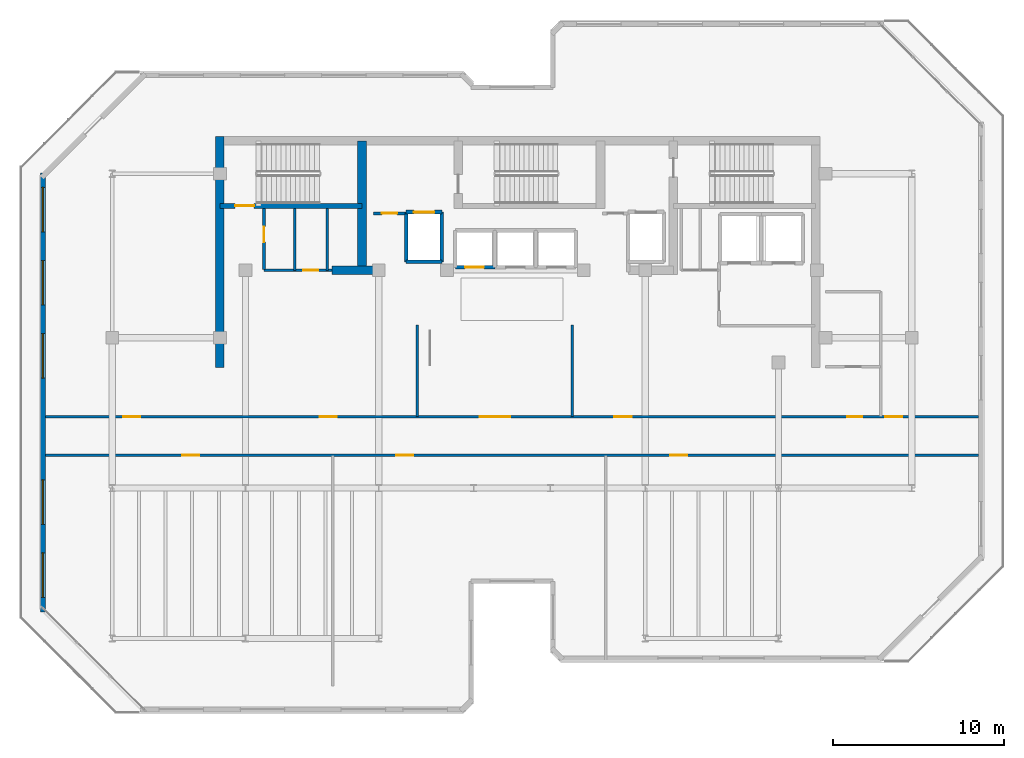
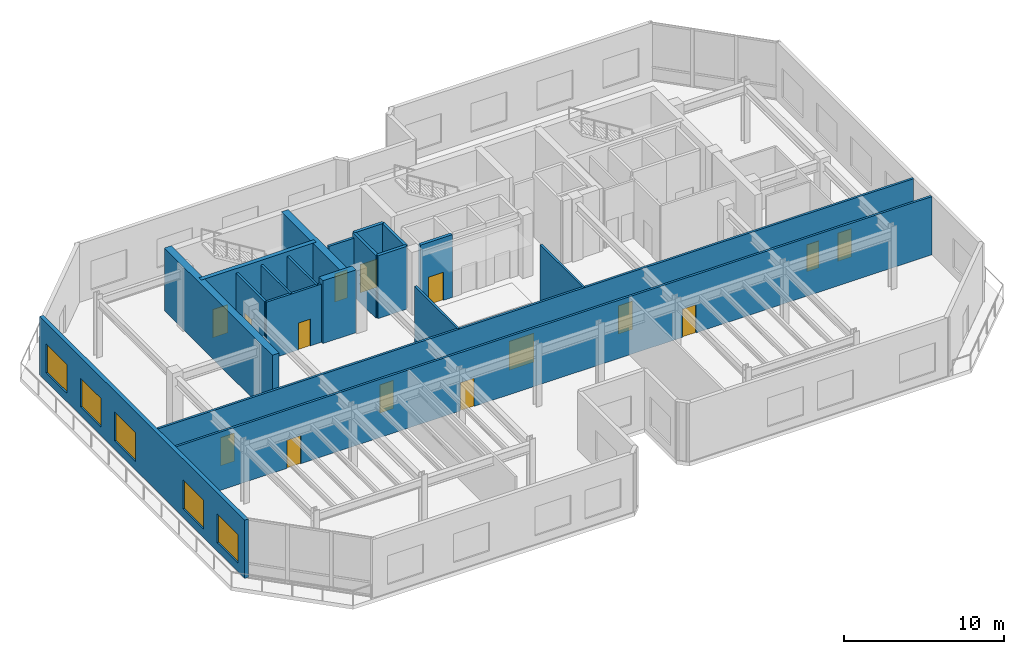
# One storey, part 6 of 12: 19 walls, 15 doors, 5 windows, 20 openings.
"""IFC4 building model written with IfcOpenShell, lengths in metres."""

import ifcopenshell
import ifcopenshell.guid

model = None  # the IFC model being written
_history = None  # IfcOwnerHistory: only IFC2X3 demands one
_inside = {}  # id of a spatial element -> (the spatial element, [elements in it])
_under = {}  # id of a project, library or spatial element -> (it, [spatial elements below it])
_declared = {}  # id of a project -> (the project, [libraries it declares])
_typed = {}  # id of a type object -> (the type object, [elements of that type])
_made_of = {}  # id of a material, layer set ... -> (it, [elements and type objects made of it])


def new_model(schema):
    """Start an empty IFC model of exactly this schema.

    Asked for "IFC4X3", IfcOpenShell would pick the latest addendum, in which some entities
    have other attributes; the version numbers below select the first issue.
    IFC2X3 requires an IfcOwnerHistory on every rooted entity: one is made here for all.
    """
    global model, _history
    if schema == "IFC4X3":
        model = ifcopenshell.file(schema_version=(4, 3, 0, 0))
    else:
        model = ifcopenshell.file(schema=schema)
    _inside.clear()
    _under.clear()
    _declared.clear()
    _typed.clear()
    _made_of.clear()
    _history = None
    if model.schema == "IFC2X3":
        org = make("IfcOrganization", Name="unknown")
        user = make(
            "IfcPersonAndOrganization",
            ThePerson=make("IfcPerson", FamilyName="unknown"),
            TheOrganization=org,
        )
        app = make(
            "IfcApplication",
            ApplicationDeveloper=org,
            Version="unknown",
            ApplicationFullName="unknown",
            ApplicationIdentifier="unknown",
        )
        _history = make(
            "IfcOwnerHistory",
            OwningUser=user,
            OwningApplication=app,
            ChangeAction="ADDED",
            CreationDate=0,
        )
    return model


def make(cls, **values):
    """One entity of the class cls with the attributes given. An attribute that is None is left unset."""
    return model.create_entity(
        cls, **{name: value for name, value in values.items() if value is not None}
    )


def rooted(cls, **values):
    """An entity with a GlobalId (a new one), such as an element, a storey or a relation."""
    return make(cls, GlobalId=ifcopenshell.guid.new(), OwnerHistory=_history, **values)


def si_unit(unit_type, name, prefix=None):
    """IfcSIUnit, for example si_unit("LENGTHUNIT", "METRE", prefix="MILLI")."""
    return make("IfcSIUnit", UnitType=unit_type, Prefix=prefix, Name=name)


def assignment(units):
    """IfcUnitAssignment: the units of a project."""
    return None if units is None else make("IfcUnitAssignment", Units=units)


def point(xyz):
    """IfcCartesianPoint."""
    return None if xyz is None else make("IfcCartesianPoint", Coordinates=xyz)


def direction(xyz):
    """IfcDirection."""
    return None if xyz is None else make("IfcDirection", DirectionRatios=xyz)


def frame(location, z_axis=None, x_axis=None):
    """IfcAxis2Placement3D, a coordinate frame: its origin and axes. An axis left out is left unset."""
    return make(
        "IfcAxis2Placement3D",
        Location=point(location),
        Axis=direction(z_axis),
        RefDirection=direction(x_axis),
    )


def frame_2d(location, x_axis=None):
    """IfcAxis2Placement2D, a coordinate frame in the plane: its origin and x axis."""
    return make(
        "IfcAxis2Placement2D", Location=point(location), RefDirection=direction(x_axis)
    )


def origin():
    """The frame at (0, 0, 0) with its axes left unset."""
    return frame((0.0, 0.0, 0.0))


def place(relative_to, where):
    """IfcLocalPlacement: puts the frame where relative to a parent placement (None: the world)."""
    return make(
        "IfcLocalPlacement", PlacementRelTo=relative_to, RelativePlacement=where
    )


def context(
    kind, dimensions, precision=None, world=None, true_north=None, identifier=None
):
    """IfcGeometricRepresentationContext, for example the 3D "Model" context."""
    return make(
        "IfcGeometricRepresentationContext",
        ContextIdentifier=identifier,
        ContextType=kind,
        CoordinateSpaceDimension=dimensions,
        Precision=precision,
        WorldCoordinateSystem=world,
        TrueNorth=true_north,
    )


def subcontext(parent, identifier, kind, view, scale=None):
    """IfcGeometricRepresentationSubContext, for example "Body" below "Model"."""
    return make(
        "IfcGeometricRepresentationSubContext",
        ContextIdentifier=identifier,
        ContextType=kind,
        ParentContext=parent,
        TargetScale=scale,
        TargetView=view,
    )


def project(units=None, contexts=None):
    """IfcProject with its units and contexts."""
    return rooted(
        "IfcProject",
        Name="project",
        RepresentationContexts=contexts,
        UnitsInContext=assignment(units),
    )


def spatial(cls, under=None, at=None, **own):
    """A site, building, storey or space (cls), placed at a placement, below another one or the project."""
    s = rooted(cls, ObjectPlacement=at, **own)
    if under is not None:
        _under.setdefault(under.id(), (under, []))[1].append(s)
    return s


def profile(cls, at=None, kind="AREA", **sizes):
    """A parametric profile (cls). Its sizes go by their IFC names, for example OverallWidth=200.0."""
    return make(cls, ProfileType=kind, Position=at, **sizes)


def rectangle(**sizes):
    """IfcRectangleProfileDef."""
    return profile("IfcRectangleProfileDef", **sizes)


def extrude(swept, where, along, depth):
    """IfcExtrudedAreaSolid: the profile swept, set in the frame where, extruded along a direction by depth."""
    return make(
        "IfcExtrudedAreaSolid",
        SweptArea=swept,
        Position=where,
        ExtrudedDirection=direction(along),
        Depth=depth,
    )


def shape(context_of_items, identifier, shape_type, items):
    """IfcShapeRepresentation: the items that make up one representation, for example the "Body"."""
    return make(
        "IfcShapeRepresentation",
        ContextOfItems=context_of_items,
        RepresentationIdentifier=identifier,
        RepresentationType=shape_type,
        Items=items,
    )


def material(Name=None, Category=None):
    """IfcMaterial."""
    return make("IfcMaterial", Name=Name, Category=Category)


def layer(
    of_material, thickness, ventilated=None, Name=None, Category=None, Priority=None
):
    """IfcMaterialLayer: one layer of a wall or slab, of a material (None: an air gap)."""
    return make(
        "IfcMaterialLayer",
        Material=of_material,
        LayerThickness=thickness,
        IsVentilated=ventilated,
        Name=Name,
        Category=Category,
        Priority=Priority,
    )


def layer_set(layers, Name=None):
    """IfcMaterialLayerSet."""
    return make("IfcMaterialLayerSet", MaterialLayers=layers, LayerSetName=Name)


def made_of(thing, what):
    """Note that an element or type object is made of a material, layer set ...; save() writes the relation."""
    if what is not None:
        _made_of.setdefault(what.id(), (what, []))[1].append(thing)
    return thing


def type_object(cls, material=None, **own):
    """A type object (cls), such as IfcWallType, which elements share."""
    return made_of(rooted(cls, **own), material)


def element(
    cls,
    number,
    at=None,
    inside=None,
    cuts=None,
    type_object=None,
    material=None,
    context=None,
    identifier="Body",
    shape_type=None,
    held_by="IfcProductDefinitionShape",
    body=None,
    shapes=None,
    **own,
):
    """One element of the class cls, such as IfcWall. Its Tag is "e" and its number.

    at: its placement. inside: the storey or other place that contains it. cuts: it is an
    opening in that element (IfcRelVoidsElement). A single representation is given by context,
    identifier, shape_type and body (its items); several are given by shapes. held_by: the class
    of the entity that holds the representations. save() writes the other relations.
    """
    e = rooted(cls, Tag="e%d" % number, ObjectPlacement=at, **own)
    if body is not None:
        shapes = [shape(context, identifier, shape_type, body)]
    if shapes is not None:
        e.Representation = make(held_by, Representations=shapes)
    if inside is not None:
        _inside.setdefault(inside.id(), (inside, []))[1].append(e)
    if cuts is not None:
        rooted(
            "IfcRelVoidsElement", RelatingBuildingElement=cuts, RelatedOpeningElement=e
        )
    if type_object is not None:
        _typed.setdefault(type_object.id(), (type_object, []))[1].append(e)
    return made_of(e, material)


def fill(opening, filler):
    """IfcRelFillsElement: the door or window that sits in an opening."""
    return rooted(
        "IfcRelFillsElement",
        RelatingOpeningElement=opening,
        RelatedBuildingElement=filler,
    )


def aggregate(whole, parts):
    """IfcRelAggregates: a whole, such as a stair, and the parts it consists of."""
    return rooted("IfcRelAggregates", RelatingObject=whole, RelatedObjects=parts)


def save(model, path):
    """Write the relations noted so far, then the file.

    IfcRelAggregates (storeys below a building ...), IfcRelContainedInSpatialStructure (elements
    in a storey), IfcRelDefinesByType, IfcRelAssociatesMaterial and IfcRelDeclares: one each for
    every whole, place, type object, material and project.
    """
    for whole, parts in _under.values():
        aggregate(whole, parts)
    for where, things in _inside.values():
        rooted(
            "IfcRelContainedInSpatialStructure",
            RelatedElements=things,
            RelatingStructure=where,
        )
    for kind, things in _typed.values():
        rooted("IfcRelDefinesByType", RelatedObjects=things, RelatingType=kind)
    for what, things in _made_of.values():
        rooted("IfcRelAssociatesMaterial", RelatedObjects=things, RelatingMaterial=what)
    for by, libraries in _declared.values():
        rooted("IfcRelDeclares", RelatingContext=by, RelatedDefinitions=libraries)
    model.write(path)


model = new_model("IFC4")

# Units and contexts
model_context = context("Model", 3, precision=1e-05, world=origin(), true_north=direction((0.0, 1.0)))
body_context = subcontext(model_context, "Body", "Model", "MODEL_VIEW")
ifc_project = project(units=[si_unit("LENGTHUNIT", "METRE"), si_unit("AREAUNIT", "SQUARE_METRE"), si_unit("VOLUMEUNIT", "CUBIC_METRE"), si_unit("PLANEANGLEUNIT", "RADIAN"), si_unit("MASSUNIT", "GRAM", prefix="KILO")], contexts=[model_context])

# Site, building, storey
site_placement = place(None, origin())
site = spatial("IfcSite", under=ifc_project, at=site_placement, CompositionType="ELEMENT")
building_placement = place(site_placement, origin())
building = spatial("IfcBuilding", under=site, at=building_placement, Name="Kestravale Grand Hotel", CompositionType="ELEMENT")
storey_placement = place(building_placement, frame((0.0, 0.0, 306.60009765625)))
storey = spatial("IfcBuildingStorey", under=building, at=storey_placement, Name="L76", CompositionType="ELEMENT", Elevation=306.60009765625)

# Walls
ifc_material_1 = material(Name="Concrete f'c 50 MPa", Category="concrete")
ifc_layer_1 = layer(ifc_material_1, 0.5)
ifc_layer_set_1 = layer_set([ifc_layer_1], Name="EW-CORE-500")
wall_type_1 = type_object("IfcWallType", Name="EW-CORE-500", PredefinedType="SHEAR", material=ifc_layer_set_1)
wall_1_placement = place(storey_placement, frame((21.89990234375, 27.050048828125, 0.0), z_axis=(0.0, 0.0, 1.0), x_axis=(0.0, 1.0, 0.0)))
element("IfcWall", 1, at=wall_1_placement, inside=storey, type_object=wall_type_1, Name="L76 core shear wall W1", PredefinedType="SHEAR", context=body_context, shape_type="SweptSolid", body=[
    extrude(rectangle(XDim=13.52001953125, YDim=0.5, at=frame_2d((6.760009765625, 0.0))), origin(), (0.0, 0.0, 1.0), 4.7998046875),
])
wall_2_placement = place(storey_placement, frame((28.449951171875, 32.75, 0.0), z_axis=(0.0, 0.0, 1.0), x_axis=(1.0, 0.0, 0.0)))
element("IfcWall", 2, at=wall_2_placement, inside=storey, type_object=wall_type_1, Name="L76 core shear wall S1", PredefinedType="SHEAR", context=body_context, shape_type="SweptSolid", body=[
    extrude(rectangle(XDim=2.400146484375, YDim=0.5, at=frame_2d((1.2001953125, 0.0))), origin(), (0.0, 0.0, 1.0), 4.7998046875),
])
wall_3_placement = place(storey_placement, frame((30.219970703125, 33.0, 0.0), z_axis=(0.0, 0.0, 1.0), x_axis=(0.0, 1.0, 0.0)))
element("IfcWall", 3, at=wall_3_placement, inside=storey, type_object=wall_type_1, Name="L76 core shear wall X1", PredefinedType="SHEAR", context=body_context, shape_type="SweptSolid", body=[
    extrude(rectangle(XDim=7.320068359375, YDim=0.5, at=frame_2d((3.66015625, 0.0))), origin(), (0.0, 0.0, 1.0), 4.7998046875),
])

# Wall, openings, windows
ifc_material_2 = material(Name="Precast concrete f'c 45 MPa", Category="concrete")
ifc_layer_2 = layer(ifc_material_2, 0.280029296875)
ifc_layer_set_2 = layer_set([ifc_layer_2], Name="EW-PREC-280")
wall_type_2 = type_object("IfcWallType", Name="EW-PREC-280", PredefinedType="SOLIDWALL", material=ifc_layer_set_2)
wall_4_placement = place(storey_placement, frame((11.5400390625, 38.43994140625, 0.0), z_axis=(0.0, 0.0, 1.0), x_axis=(0.0, -1.0, 0.0)))
wall_4 = element("IfcWall", 4, at=wall_4_placement, inside=storey, type_object=wall_type_2, Name="L76 fluted precast facade wall 19", PredefinedType="SOLIDWALL", context=body_context, shape_type="SweptSolid", body=[
    extrude(rectangle(XDim=25.679931640625, YDim=0.280029296875, at=frame_2d((12.83984375, 0.0))), origin(), (0.0, 0.0, 1.0), 4.449951171875),
])
opening_1_placement = place(wall_4_placement, frame((0.840087890625, 0.0, 0.64990234375)))
opening_1 = element("IfcOpeningElement", 5, at=opening_1_placement, cuts=wall_4, Name="Opening W-SKY-2600", PredefinedType="OPENING", context=body_context, shape_type="SweptSolid", body=[
    extrude(rectangle(XDim=2.60009765625, YDim=2.199951171875, at=frame_2d((1.300048828125, 1.10009765625))), frame((0.0, 0.14990234375, 0.0), z_axis=(0.0, -1.0, 0.0), x_axis=(1.0, 0.0, 0.0)), (0.0, 0.0, 1.0), 0.300048828125),
])
opening_2_placement = place(wall_4_placement, frame((5.1201171875, 0.0, 0.64990234375)))
opening_2 = element("IfcOpeningElement", 6, at=opening_2_placement, cuts=wall_4, Name="Opening W-SKY-2600", PredefinedType="OPENING", context=body_context, shape_type="SweptSolid", body=[
    extrude(rectangle(XDim=2.60009765625, YDim=2.199951171875, at=frame_2d((1.300048828125, 1.10009765625))), frame((0.0, 0.14990234375, 0.0), z_axis=(0.0, -1.0, 0.0), x_axis=(1.0, 0.0, 0.0)), (0.0, 0.0, 1.0), 0.300048828125),
])
opening_3_placement = place(wall_4_placement, frame((9.39990234375, 0.0, 0.64990234375)))
opening_3 = element("IfcOpeningElement", 7, at=opening_3_placement, cuts=wall_4, Name="Opening W-SKY-2600", PredefinedType="OPENING", context=body_context, shape_type="SweptSolid", body=[
    extrude(rectangle(XDim=2.60009765625, YDim=2.199951171875, at=frame_2d((1.300048828125, 1.10009765625))), frame((0.0, 0.14990234375, 0.0), z_axis=(0.0, -1.0, 0.0), x_axis=(1.0, 0.0, 0.0)), (0.0, 0.0, 1.0), 0.300048828125),
])
opening_4_placement = place(wall_4_placement, frame((17.9599609375, 0.0, 0.64990234375)))
opening_4 = element("IfcOpeningElement", 8, at=opening_4_placement, cuts=wall_4, Name="Opening W-SKY-2600", PredefinedType="OPENING", context=body_context, shape_type="SweptSolid", body=[
    extrude(rectangle(XDim=2.60009765625, YDim=2.199951171875, at=frame_2d((1.300048828125, 1.10009765625))), frame((0.0, 0.14990234375, 0.0), z_axis=(0.0, -1.0, 0.0), x_axis=(1.0, 0.0, 0.0)), (0.0, 0.0, 1.0), 0.300048828125),
])
opening_5_placement = place(wall_4_placement, frame((22.239990234375, 0.0, 0.64990234375)))
opening_5 = element("IfcOpeningElement", 9, at=opening_5_placement, cuts=wall_4, Name="Opening W-SKY-2600", PredefinedType="OPENING", context=body_context, shape_type="SweptSolid", body=[
    extrude(rectangle(XDim=2.60009765625, YDim=2.199951171875, at=frame_2d((1.300048828125, 1.10009765625))), frame((0.0, 0.14990234375, 0.0), z_axis=(0.0, -1.0, 0.0), x_axis=(1.0, 0.0, 0.0)), (0.0, 0.0, 1.0), 0.300048828125),
])
ifc_material_3 = material(Name="Insulated low-E double glazing in aluminium frame", Category="aluminium")
window_type = type_object("IfcWindowType", Name="W-SKY-2600", PartitioningType="TRIPLE_PANEL_VERTICAL", PredefinedType="WINDOW", material=ifc_material_3)
window_1_placement = place(opening_1_placement, origin())
window_1 = element("IfcWindow", 10, at=window_1_placement, inside=storey, type_object=window_type, Name="L76 exterior window 19.1", OverallHeight=2.199951171875, OverallWidth=2.60009765625, PartitioningType="SINGLE_PANEL", PredefinedType="WINDOW", context=body_context, shape_type="SweptSolid", body=[
    extrude(rectangle(XDim=2.60009765625, YDim=2.199951171875, at=frame_2d((1.300048828125, 1.10009765625))), frame((0.0, 0.030029296875, 0.0), z_axis=(0.0, -1.0, 0.0), x_axis=(1.0, 0.0, 0.0)), (0.0, 0.0, 1.0), 0.06005859375),
])
fill(opening_1, window_1)
window_2_placement = place(opening_2_placement, origin())
window_2 = element("IfcWindow", 11, at=window_2_placement, inside=storey, type_object=window_type, Name="L76 exterior window 19.2", OverallHeight=2.199951171875, OverallWidth=2.60009765625, PartitioningType="SINGLE_PANEL", PredefinedType="WINDOW", context=body_context, shape_type="SweptSolid", body=[
    extrude(rectangle(XDim=2.60009765625, YDim=2.199951171875, at=frame_2d((1.300048828125, 1.10009765625))), frame((0.0, 0.030029296875, 0.0), z_axis=(0.0, -1.0, 0.0), x_axis=(1.0, 0.0, 0.0)), (0.0, 0.0, 1.0), 0.06005859375),
])
fill(opening_2, window_2)
window_3_placement = place(opening_3_placement, origin())
window_3 = element("IfcWindow", 12, at=window_3_placement, inside=storey, type_object=window_type, Name="L76 exterior window 19.3", OverallHeight=2.199951171875, OverallWidth=2.60009765625, PartitioningType="SINGLE_PANEL", PredefinedType="WINDOW", context=body_context, shape_type="SweptSolid", body=[
    extrude(rectangle(XDim=2.60009765625, YDim=2.199951171875, at=frame_2d((1.300048828125, 1.10009765625))), frame((0.0, 0.030029296875, 0.0), z_axis=(0.0, -1.0, 0.0), x_axis=(1.0, 0.0, 0.0)), (0.0, 0.0, 1.0), 0.06005859375),
])
fill(opening_3, window_3)
window_4_placement = place(opening_4_placement, origin())
window_4 = element("IfcWindow", 13, at=window_4_placement, inside=storey, type_object=window_type, Name="L76 exterior window 19.4", OverallHeight=2.199951171875, OverallWidth=2.60009765625, PartitioningType="SINGLE_PANEL", PredefinedType="WINDOW", context=body_context, shape_type="SweptSolid", body=[
    extrude(rectangle(XDim=2.60009765625, YDim=2.199951171875, at=frame_2d((1.300048828125, 1.10009765625))), frame((0.0, 0.030029296875, 0.0), z_axis=(0.0, -1.0, 0.0), x_axis=(1.0, 0.0, 0.0)), (0.0, 0.0, 1.0), 0.06005859375),
])
fill(opening_4, window_4)
window_5_placement = place(opening_5_placement, origin())
window_5 = element("IfcWindow", 14, at=window_5_placement, inside=storey, type_object=window_type, Name="L76 exterior window 19.5", OverallHeight=2.199951171875, OverallWidth=2.60009765625, PartitioningType="SINGLE_PANEL", PredefinedType="WINDOW", context=body_context, shape_type="SweptSolid", body=[
    extrude(rectangle(XDim=2.60009765625, YDim=2.199951171875, at=frame_2d((1.300048828125, 1.10009765625))), frame((0.0, 0.030029296875, 0.0), z_axis=(0.0, -1.0, 0.0), x_axis=(1.0, 0.0, 0.0)), (0.0, 0.0, 1.0), 0.06005859375),
])
fill(opening_5, window_5)

# Wall, opening, door
ifc_material_4 = material(Name="Concrete f'c 45 MPa", Category="concrete")
ifc_layer_3 = layer(ifc_material_4, 0.300048828125)
ifc_layer_set_3 = layer_set([ifc_layer_3], Name="EW-STAIR-300")
wall_type_3 = type_object("IfcWallType", Name="EW-STAIR-300", PredefinedType="SHEAR", material=ifc_layer_set_3)
wall_5_placement = place(storey_placement, frame((21.89990234375, 36.52001953125, 0.0), z_axis=(0.0, 0.0, 1.0), x_axis=(1.0, 0.0, 0.0)))
wall_5 = element("IfcWall", 15, at=wall_5_placement, inside=storey, type_object=wall_type_3, Name="L76 stair enclosure shear wall SST1", PredefinedType="SHEAR", context=body_context, shape_type="SweptSolid", body=[
    extrude(rectangle(XDim=8.320068359375, YDim=0.300048828125, at=frame_2d((4.16015625, 0.0))), origin(), (0.0, 0.0, 1.0), 4.7998046875),
])
opening_6_placement = place(wall_5_placement, frame((0.89990234375, 0.0, 0.0)))
opening_6 = element("IfcOpeningElement", 16, at=opening_6_placement, cuts=wall_5, Name="Opening D-ST-1100", PredefinedType="OPENING", context=body_context, shape_type="SweptSolid", body=[
    extrude(rectangle(XDim=1.10009765625, YDim=2.14990234375, at=frame_2d((0.550048828125, 1.074951171875))), frame((0.0, 0.159912109375, 0.0), z_axis=(0.0, -1.0, 0.0), x_axis=(1.0, 0.0, 0.0)), (0.0, 0.0, 1.0), 0.320068359375),
])
ifc_material_5 = material(Name="Galvanised 90-minute fire-rated steel stair door", Category="steel")
door_type_1 = type_object("IfcDoorType", Name="D-ST-1100", OperationType="NOTDEFINED", PredefinedType="DOOR", material=ifc_material_5)
door_1_placement = place(opening_6_placement, origin())
door_1 = element("IfcDoor", 17, at=door_1_placement, inside=storey, type_object=door_type_1, Name="L76 Stair ST-1 fire door", OperationType="SINGLE_SWING_RIGHT", OverallHeight=2.14990234375, OverallWidth=1.10009765625, PredefinedType="DOOR", context=body_context, shape_type="SweptSolid", body=[
    extrude(rectangle(XDim=1.10009765625, YDim=2.14990234375, at=frame_2d((0.550048828125, 1.074951171875))), frame((0.0, 0.02490234375, 0.0), z_axis=(0.0, -1.0, 0.0), x_axis=(1.0, 0.0, 0.0)), (0.0, 0.0, 1.0), 0.050048828125),
])
fill(opening_6, door_1)

ifc_material_6 = material(Name="Acoustic fire-rated gypsum board partition", Category="other")
ifc_layer_4 = layer(ifc_material_6, 0.159912109375)
ifc_layer_set_4 = layer_set([ifc_layer_4], Name="IW-CORR-160")
wall_type_4 = type_object("IfcWallType", Name="IW-CORR-160", PredefinedType="PARTITIONING", material=ifc_layer_set_4)
wall_6_placement = place(storey_placement, frame((24.47998046875, 32.800048828125, 0.0), z_axis=(0.0, 0.0, 1.0), x_axis=(0.0, 1.0, 0.0)))
wall_6 = element("IfcWall", 18, at=wall_6_placement, inside=storey, type_object=wall_type_4, Name="L76 west core vestibule wall", PredefinedType="PARTITIONING", context=body_context, shape_type="SweptSolid", body=[
    extrude(rectangle(XDim=3.570068359375, YDim=0.159912109375, at=frame_2d((1.78515625, 0.0))), origin(), (0.0, 0.0, 1.0), 4.449951171875),
])
opening_7_placement = place(wall_6_placement, frame((1.603515625, 0.0, 0.0)))
opening_7 = element("IfcOpeningElement", 19, at=opening_7_placement, cuts=wall_6, Name="Opening D-SH-900", PredefinedType="OPENING", context=body_context, shape_type="SweptSolid", body=[
    extrude(rectangle(XDim=0.89990234375, YDim=2.10009765625, at=frame_2d((0.449951171875, 1.050048828125))), frame((0.0, 0.08984375, 0.0), z_axis=(0.0, -1.0, 0.0), x_axis=(1.0, 0.0, 0.0)), (0.0, 0.0, 1.0), 0.179931640625),
])
ifc_material_7 = material(Name="Galvanised 90-minute shaft and service fire door", Category="steel")
door_type_2 = type_object("IfcDoorType", Name="D-SH-900", OperationType="NOTDEFINED", PredefinedType="DOOR", material=ifc_material_7)
door_2_placement = place(opening_7_placement, origin())
door_2 = element("IfcDoor", 20, at=door_2_placement, inside=storey, type_object=door_type_2, Name="D-L76-HK", OperationType="SINGLE_SWING_RIGHT", OverallHeight=2.10009765625, OverallWidth=0.89990234375, PredefinedType="DOOR", context=body_context, shape_type="SweptSolid", body=[
    extrude(rectangle(XDim=0.89990234375, YDim=2.10009765625, at=frame_2d((0.449951171875, 1.050048828125))), frame((0.0, 0.02490234375, 0.0), z_axis=(0.0, -1.0, 0.0), x_axis=(1.0, 0.0, 0.0)), (0.0, 0.0, 1.0), 0.050048828125),
])
fill(opening_7, door_2)

wall_7_placement = place(storey_placement, frame((24.47998046875, 32.75, 0.0), z_axis=(0.0, 0.0, 1.0), x_axis=(1.0, 0.0, 0.0)))
wall_7 = element("IfcWall", 21, at=wall_7_placement, inside=storey, type_object=wall_type_4, Name="W-L76-CWS", PredefinedType="PARTITIONING", context=body_context, shape_type="SweptSolid", body=[
    extrude(rectangle(XDim=3.969970703125, YDim=0.159912109375, at=frame_2d((1.98486328125, 0.0))), origin(), (0.0, 0.0, 1.0), 4.449951171875),
])
opening_8_placement = place(wall_7_placement, frame((2.31005859375, 0.0, 0.0)))
opening_8 = element("IfcOpeningElement", 22, at=opening_8_placement, cuts=wall_7, Name="Opening D-SH-860", PredefinedType="OPENING", context=body_context, shape_type="SweptSolid", body=[
    extrude(rectangle(XDim=0.860107421875, YDim=2.050048828125, at=frame_2d((0.43017578125, 1.02490234375))), frame((0.0, 0.08984375, 0.0), z_axis=(0.0, -1.0, 0.0), x_axis=(1.0, 0.0, 0.0)), (0.0, 0.0, 1.0), 0.179931640625),
])
ifc_material_8 = material(Name="Galvanised 90-minute riser fire door", Category="steel")
door_type_3 = type_object("IfcDoorType", Name="D-SH-860", OperationType="NOTDEFINED", PredefinedType="DOOR", material=ifc_material_8)
door_3_placement = place(opening_8_placement, origin())
door_3 = element("IfcDoor", 23, at=door_3_placement, inside=storey, type_object=door_type_3, Name="D-L76-IDF", OperationType="SINGLE_SWING_RIGHT", OverallHeight=2.050048828125, OverallWidth=0.860107421875, PredefinedType="DOOR", context=body_context, shape_type="SweptSolid", body=[
    extrude(rectangle(XDim=0.860107421875, YDim=2.050048828125, at=frame_2d((0.43017578125, 1.02490234375))), frame((0.0, 0.02490234375, 0.0), z_axis=(0.0, -1.0, 0.0), x_axis=(1.0, 0.0, 0.0)), (0.0, 0.0, 1.0), 0.050048828125),
])
fill(opening_8, door_3)

# Wall, openings, doors
wall_8_placement = place(storey_placement, frame((11.699951171875, 21.919921875, 0.0), z_axis=(0.0, 0.0, 1.0), x_axis=(1.0, 0.0, 0.0)))
wall_8 = element("IfcWall", 24, at=wall_8_placement, inside=storey, type_object=wall_type_4, Name="W-L76-SC-S", PredefinedType="PARTITIONING", context=body_context, shape_type="SweptSolid", body=[
    extrude(rectangle(XDim=54.60009765625, YDim=0.159912109375, at=frame_2d((27.300048828125, 0.0))), origin(), (0.0, 0.0, 1.0), 4.449951171875),
])
opening_9_placement = place(wall_8_placement, frame((8.0, 0.0, 0.0)))
opening_9 = element("IfcOpeningElement", 25, at=opening_9_placement, cuts=wall_8, Name="Opening D-GUEST-1000", PredefinedType="OPENING", context=body_context, shape_type="SweptSolid", body=[
    extrude(rectangle(XDim=1.0, YDim=2.14990234375, at=frame_2d((0.5, 1.074951171875))), frame((0.0, 0.08984375, 0.0), z_axis=(0.0, -1.0, 0.0), x_axis=(1.0, 0.0, 0.0)), (0.0, 0.0, 1.0), 0.179931640625),
])
opening_10_placement = place(wall_8_placement, frame((20.53125, 0.0, 0.0)))
opening_10 = element("IfcOpeningElement", 26, at=opening_10_placement, cuts=wall_8, Name="Opening D-GUEST-1000", PredefinedType="OPENING", context=body_context, shape_type="SweptSolid", body=[
    extrude(rectangle(XDim=1.0, YDim=2.14990234375, at=frame_2d((0.5, 1.074951171875))), frame((0.0, 0.08984375, 0.0), z_axis=(0.0, -1.0, 0.0), x_axis=(1.0, 0.0, 0.0)), (0.0, 0.0, 1.0), 0.179931640625),
])
opening_11_placement = place(wall_8_placement, frame((36.568603515625, 0.0, 0.0)))
opening_11 = element("IfcOpeningElement", 27, at=opening_11_placement, cuts=wall_8, Name="Opening D-GUEST-1000", PredefinedType="OPENING", context=body_context, shape_type="SweptSolid", body=[
    extrude(rectangle(XDim=1.0, YDim=2.14990234375, at=frame_2d((0.5, 1.074951171875))), frame((0.0, 0.08984375, 0.0), z_axis=(0.0, -1.0, 0.0), x_axis=(1.0, 0.0, 0.0)), (0.0, 0.0, 1.0), 0.179931640625),
])
ifc_material_9 = material(Name="Accessible walnut veneer hotel entrance fire door", Category="wood")
door_type_4 = type_object("IfcDoorType", Name="D-GUEST-1000", OperationType="NOTDEFINED", PredefinedType="DOOR", material=ifc_material_9)
door_4_placement = place(opening_9_placement, origin())
door_4 = element("IfcDoor", 28, at=door_4_placement, inside=storey, type_object=door_type_4, Name="D-L76-SUMMITW", OperationType="SINGLE_SWING_RIGHT", OverallHeight=2.14990234375, OverallWidth=1.0, PredefinedType="DOOR", context=body_context, shape_type="SweptSolid", body=[
    extrude(rectangle(XDim=1.0, YDim=2.14990234375, at=frame_2d((0.5, 1.074951171875))), frame((0.0, 0.02490234375, 0.0), z_axis=(0.0, -1.0, 0.0), x_axis=(1.0, 0.0, 0.0)), (0.0, 0.0, 1.0), 0.050048828125),
])
fill(opening_9, door_4)
door_5_placement = place(opening_10_placement, origin())
door_5 = element("IfcDoor", 29, at=door_5_placement, inside=storey, type_object=door_type_4, Name="D-L76-LOUNGE76", OperationType="SINGLE_SWING_LEFT", OverallHeight=2.14990234375, OverallWidth=1.0, PredefinedType="DOOR", context=body_context, shape_type="SweptSolid", body=[
    extrude(rectangle(XDim=1.0, YDim=2.14990234375, at=frame_2d((0.5, 1.074951171875))), frame((0.0, 0.02490234375, 0.0), z_axis=(0.0, -1.0, 0.0), x_axis=(1.0, 0.0, 0.0)), (0.0, 0.0, 1.0), 0.050048828125),
])
fill(opening_10, door_5)
door_6_placement = place(opening_11_placement, origin())
door_6 = element("IfcDoor", 30, at=door_6_placement, inside=storey, type_object=door_type_4, Name="D-L76-SUMMITE", OperationType="SINGLE_SWING_RIGHT", OverallHeight=2.14990234375, OverallWidth=1.0, PredefinedType="DOOR", context=body_context, shape_type="SweptSolid", body=[
    extrude(rectangle(XDim=1.0, YDim=2.14990234375, at=frame_2d((0.5, 1.074951171875))), frame((0.0, 0.02490234375, 0.0), z_axis=(0.0, -1.0, 0.0), x_axis=(1.0, 0.0, 0.0)), (0.0, 0.0, 1.0), 0.050048828125),
])
fill(opening_11, door_6)

wall_9_placement = place(storey_placement, frame((11.699951171875, 24.179931640625, 0.0), z_axis=(0.0, 0.0, 1.0), x_axis=(1.0, 0.0, 0.0)))
wall_9 = element("IfcWall", 31, at=wall_9_placement, inside=storey, type_object=wall_type_4, Name="W-L76-SC-N", PredefinedType="PARTITIONING", context=body_context, shape_type="SweptSolid", body=[
    extrude(rectangle(XDim=54.60009765625, YDim=0.159912109375, at=frame_2d((27.300048828125, 0.0))), origin(), (0.0, 0.0, 1.0), 4.449951171875),
])
opening_12_placement = place(wall_9_placement, frame((25.39990234375, 0.0, 0.0)))
opening_12 = element("IfcOpeningElement", 32, at=opening_12_placement, cuts=wall_9, Name="Opening D-CORR-1800", PredefinedType="OPENING", context=body_context, shape_type="SweptSolid", body=[
    extrude(rectangle(XDim=1.800048828125, YDim=2.199951171875, at=frame_2d((0.89990234375, 1.10009765625))), frame((0.0, 0.08984375, 0.0), z_axis=(0.0, -1.0, 0.0), x_axis=(1.0, 0.0, 0.0)), (0.0, 0.0, 1.0), 0.179931640625),
])
opening_13_placement = place(wall_9_placement, frame((16.050048828125, 0.0, 0.0)))
opening_13 = element("IfcOpeningElement", 33, at=opening_13_placement, cuts=wall_9, Name="Opening D-GUEST-1000", PredefinedType="OPENING", context=body_context, shape_type="SweptSolid", body=[
    extrude(rectangle(XDim=1.0, YDim=2.14990234375, at=frame_2d((0.5, 1.074951171875))), frame((0.0, 0.08984375, 0.0), z_axis=(0.0, -1.0, 0.0), x_axis=(1.0, 0.0, 0.0)), (0.0, 0.0, 1.0), 0.179931640625),
])
opening_14_placement = place(wall_9_placement, frame((33.300048828125, 0.0, 0.0)))
opening_14 = element("IfcOpeningElement", 34, at=opening_14_placement, cuts=wall_9, Name="Opening D-GUEST-1000", PredefinedType="OPENING", context=body_context, shape_type="SweptSolid", body=[
    extrude(rectangle(XDim=1.0, YDim=2.14990234375, at=frame_2d((0.5, 1.074951171875))), frame((0.0, 0.08984375, 0.0), z_axis=(0.0, -1.0, 0.0), x_axis=(1.0, 0.0, 0.0)), (0.0, 0.0, 1.0), 0.179931640625),
])
opening_15_placement = place(wall_9_placement, frame((4.550048828125, 0.0, 0.0)))
opening_15 = element("IfcOpeningElement", 35, at=opening_15_placement, cuts=wall_9, Name="Opening D-GUEST-1000", PredefinedType="OPENING", context=body_context, shape_type="SweptSolid", body=[
    extrude(rectangle(XDim=1.0, YDim=2.14990234375, at=frame_2d((0.5, 1.074951171875))), frame((0.0, 0.08984375, 0.0), z_axis=(0.0, -1.0, 0.0), x_axis=(1.0, 0.0, 0.0)), (0.0, 0.0, 1.0), 0.179931640625),
])
opening_16_placement = place(wall_9_placement, frame((46.909912109375, 0.0, 0.0)))
opening_16 = element("IfcOpeningElement", 36, at=opening_16_placement, cuts=wall_9, Name="Opening D-BATH-880", PredefinedType="OPENING", context=body_context, shape_type="SweptSolid", body=[
    extrude(rectangle(XDim=0.8798828125, YDim=2.050048828125, at=frame_2d((0.43994140625, 1.02490234375))), frame((0.0, 0.08984375, 0.0), z_axis=(0.0, -1.0, 0.0), x_axis=(1.0, 0.0, 0.0)), (0.0, 0.0, 1.0), 0.179931640625),
])
opening_17_placement = place(wall_9_placement, frame((49.14990234375, 0.0, 0.0)))
opening_17 = element("IfcOpeningElement", 37, at=opening_17_placement, cuts=wall_9, Name="Opening D-GUEST-1000", PredefinedType="OPENING", context=body_context, shape_type="SweptSolid", body=[
    extrude(rectangle(XDim=1.0, YDim=2.14990234375, at=frame_2d((0.5, 1.074951171875))), frame((0.0, 0.08984375, 0.0), z_axis=(0.0, -1.0, 0.0), x_axis=(1.0, 0.0, 0.0)), (0.0, 0.0, 1.0), 0.179931640625),
])
ifc_material_10 = material(Name="Moisture-sealed walnut en-suite bathroom door", Category="wood")
door_type_5 = type_object("IfcDoorType", Name="D-BATH-880", OperationType="NOTDEFINED", PredefinedType="DOOR", material=ifc_material_10)
door_7_placement = place(opening_16_placement, origin())
door_7 = element("IfcDoor", 38, at=door_7_placement, inside=storey, type_object=door_type_5, Name="D-L76-WCA", OperationType="SINGLE_SWING_RIGHT", OverallHeight=2.050048828125, OverallWidth=0.8798828125, PredefinedType="DOOR", context=body_context, shape_type="SweptSolid", body=[
    extrude(rectangle(XDim=0.8798828125, YDim=2.050048828125, at=frame_2d((0.43994140625, 1.02490234375))), frame((0.0, 0.02490234375, 0.0), z_axis=(0.0, -1.0, 0.0), x_axis=(1.0, 0.0, 0.0)), (0.0, 0.0, 1.0), 0.050048828125),
])
fill(opening_16, door_7)
ifc_material_11 = material(Name="Double-leaf glazed bronze acoustic corridor fire door", Category="aluminium")
door_type_6 = type_object("IfcDoorType", Name="D-CORR-1800", OperationType="NOTDEFINED", PredefinedType="DOOR", material=ifc_material_11)
door_8_placement = place(opening_12_placement, origin())
door_8 = element("IfcDoor", 39, at=door_8_placement, inside=storey, type_object=door_type_6, Name="D-L76-LCONN", OperationType="DOUBLE_DOOR_SINGLE_SWING", OverallHeight=2.199951171875, OverallWidth=1.800048828125, PredefinedType="DOOR", context=body_context, shape_type="SweptSolid", body=[
    extrude(rectangle(XDim=1.800048828125, YDim=2.199951171875, at=frame_2d((0.89990234375, 1.10009765625))), frame((0.0, 0.02490234375, 0.0), z_axis=(0.0, -1.0, 0.0), x_axis=(1.0, 0.0, 0.0)), (0.0, 0.0, 1.0), 0.050048828125),
])
fill(opening_12, door_8)
door_9_placement = place(opening_13_placement, origin())
door_9 = element("IfcDoor", 40, at=door_9_placement, inside=storey, type_object=door_type_4, Name="D-L76-RECL-W", OperationType="SINGLE_SWING_RIGHT", OverallHeight=2.14990234375, OverallWidth=1.0, PredefinedType="DOOR", context=body_context, shape_type="SweptSolid", body=[
    extrude(rectangle(XDim=1.0, YDim=2.14990234375, at=frame_2d((0.5, 1.074951171875))), frame((0.0, 0.02490234375, 0.0), z_axis=(0.0, -1.0, 0.0), x_axis=(1.0, 0.0, 0.0)), (0.0, 0.0, 1.0), 0.050048828125),
])
fill(opening_13, door_9)
door_10_placement = place(opening_14_placement, origin())
door_10 = element("IfcDoor", 41, at=door_10_placement, inside=storey, type_object=door_type_4, Name="D-L76-RECL-E", OperationType="SINGLE_SWING_LEFT", OverallHeight=2.14990234375, OverallWidth=1.0, PredefinedType="DOOR", context=body_context, shape_type="SweptSolid", body=[
    extrude(rectangle(XDim=1.0, YDim=2.14990234375, at=frame_2d((0.5, 1.074951171875))), frame((0.0, 0.02490234375, 0.0), z_axis=(0.0, -1.0, 0.0), x_axis=(1.0, 0.0, 0.0)), (0.0, 0.0, 1.0), 0.050048828125),
])
fill(opening_14, door_10)
door_11_placement = place(opening_15_placement, origin())
door_11 = element("IfcDoor", 42, at=door_11_placement, inside=storey, type_object=door_type_4, Name="D-L76-NW", OperationType="SINGLE_SWING_LEFT", OverallHeight=2.14990234375, OverallWidth=1.0, PredefinedType="DOOR", context=body_context, shape_type="SweptSolid", body=[
    extrude(rectangle(XDim=1.0, YDim=2.14990234375, at=frame_2d((0.5, 1.074951171875))), frame((0.0, 0.02490234375, 0.0), z_axis=(0.0, -1.0, 0.0), x_axis=(1.0, 0.0, 0.0)), (0.0, 0.0, 1.0), 0.050048828125),
])
fill(opening_15, door_11)
door_12_placement = place(opening_17_placement, origin())
door_12 = element("IfcDoor", 43, at=door_12_placement, inside=storey, type_object=door_type_4, Name="L76 NE Gallery Door", OperationType="SINGLE_SWING_LEFT", OverallHeight=2.14990234375, OverallWidth=1.0, PredefinedType="DOOR", context=body_context, shape_type="SweptSolid", body=[
    extrude(rectangle(XDim=1.0, YDim=2.14990234375, at=frame_2d((0.5, 1.074951171875))), frame((0.0, 0.02490234375, 0.0), z_axis=(0.0, -1.0, 0.0), x_axis=(1.0, 0.0, 0.0)), (0.0, 0.0, 1.0), 0.050048828125),
])
fill(opening_17, door_12)

# Wall, opening, door
ifc_material_12 = material(Name="Fire-rated gypsum board on steel studs with mineral wool", Category="steel")
ifc_layer_5 = layer(ifc_material_12, 0.179931640625)
ifc_layer_set_5 = layer_set([ifc_layer_5], Name="IW-FSAE-180")
wall_type_5 = type_object("IfcWallType", Name="IW-FSAE-180", PredefinedType="PARTITIONING", material=ifc_layer_set_5)
wall_10_placement = place(storey_placement, frame((30.89990234375, 36.080078125, 0.0), z_axis=(0.0, 0.0, 1.0), x_axis=(1.0, 0.0, 0.0)))
wall_10 = element("IfcWall", 44, at=wall_10_placement, inside=storey, type_object=wall_type_5, Name="L76 FSAE Lobby 1 smoke barrier", PredefinedType="PARTITIONING", context=body_context, shape_type="SweptSolid", body=[
    extrude(rectangle(XDim=1.85009765625, YDim=0.179931640625, at=frame_2d((0.925048828125, 0.0))), origin(), (0.0, 0.0, 1.0), 4.449951171875),
])
opening_18_placement = place(wall_10_placement, frame((0.47998046875, 0.0, 0.0)))
opening_18 = element("IfcOpeningElement", 45, at=opening_18_placement, cuts=wall_10, Name="Opening D-FSAE-1000", PredefinedType="OPENING", context=body_context, shape_type="SweptSolid", body=[
    extrude(rectangle(XDim=0.89990234375, YDim=2.14990234375, at=frame_2d((0.449951171875, 1.074951171875))), frame((0.0, 0.099853515625, 0.0), z_axis=(0.0, -1.0, 0.0), x_axis=(1.0, 0.0, 0.0)), (0.0, 0.0, 1.0), 0.199951171875),
])
ifc_material_13 = material(Name="Smoke-gasketed FSAE lobby fire door", Category="steel")
door_type_7 = type_object("IfcDoorType", Name="D-FSAE-1000", OperationType="NOTDEFINED", PredefinedType="DOOR", material=ifc_material_13)
door_13_placement = place(opening_18_placement, origin())
door_13 = element("IfcDoor", 46, at=door_13_placement, inside=storey, type_object=door_type_7, Name="L76 FSAE Lobby 1 fire door", OperationType="SINGLE_SWING_RIGHT", OverallHeight=2.14990234375, OverallWidth=0.89990234375, PredefinedType="DOOR", context=body_context, shape_type="SweptSolid", body=[
    extrude(rectangle(XDim=0.89990234375, YDim=2.14990234375, at=frame_2d((0.449951171875, 1.074951171875))), frame((0.0, 0.02490234375, 0.0), z_axis=(0.0, -1.0, 0.0), x_axis=(1.0, 0.0, 0.0)), (0.0, 0.0, 1.0), 0.050048828125),
])
fill(opening_18, door_13)

# Walls
ifc_material_14 = material(Name="Concrete f'c 45 MPa", Category="concrete")
ifc_layer_6 = layer(ifc_material_14, 0.199951171875)
ifc_layer_set_6 = layer_set([ifc_layer_6], Name="IW-SHAFT-200")
wall_type_6 = type_object("IfcWallType", Name="IW-SHAFT-200", PredefinedType="SHEAR", material=ifc_layer_set_6)
for number, where, z_axis, x_axis, name in (
    (47, (32.804931640625, 33.2451171875, 0.0), (0.0, 0.0, 1.0), (0.0, 1.0, 0.0), "L76 FL-1 west shaft wall"),
    (48, (34.89501953125, 33.2451171875, 0.0), (0.0, 0.0, 1.0), (0.0, 1.0, 0.0), "L76 FL-1 east shaft wall"),
):
    element("IfcWall", number, at=place(storey_placement, frame(where, z_axis=z_axis, x_axis=x_axis)), inside=storey, type_object=wall_type_6, Name=name, PredefinedType="SHEAR", context=body_context, shape_type="SweptSolid", body=[
        extrude(rectangle(XDim=2.909912109375, YDim=0.199951171875, at=frame_2d((1.455078125, 0.0))), origin(), (0.0, 0.0, 1.0), 4.7998046875),
    ])

# Wall, opening, door
ifc_material_15 = material(Name="Concrete f'c 45 MPa", Category="concrete")
ifc_layer_7 = layer(ifc_material_15, 0.219970703125)
ifc_layer_set_7 = layer_set([ifc_layer_7], Name="IW-SHAFT-220")
wall_type_7 = type_object("IfcWallType", Name="IW-SHAFT-220", PredefinedType="SHEAR", material=ifc_layer_set_7)
wall_11_placement = place(storey_placement, frame((35.679931640625, 32.919921875, 0.0), z_axis=(0.0, 0.0, 1.0), x_axis=(1.0, 0.0, 0.0)))
wall_11 = element("IfcWall", 49, at=wall_11_placement, inside=storey, type_object=wall_type_7, Name="L76 PL-X1 south shaft wall", PredefinedType="SHEAR", context=body_context, shape_type="SweptSolid", body=[
    extrude(rectangle(XDim=2.320068359375, YDim=0.219970703125, at=frame_2d((1.16015625, 0.0))), origin(), (0.0, 0.0, 1.0), 4.7998046875),
])
opening_19_placement = place(wall_11_placement, frame((0.570068359375, 0.0, 0.0)))
opening_19 = element("IfcOpeningElement", 50, at=opening_19_placement, cuts=wall_11, Name="Opening LD-PAX-1100", PredefinedType="OPENING", context=body_context, shape_type="SweptSolid", body=[
    extrude(rectangle(XDim=1.10009765625, YDim=2.14990234375, at=frame_2d((0.550048828125, 1.074951171875))), frame((0.0, 0.119873046875, 0.0), z_axis=(0.0, -1.0, 0.0), x_axis=(1.0, 0.0, 0.0)), (0.0, 0.0, 1.0), 0.239990234375),
])
ifc_material_16 = material(Name="Champagne-bronze center-opening sliding elevator landing door", Category="steel")
door_type_8 = type_object("IfcDoorType", Name="LD-PAX-1100", OperationType="NOTDEFINED", PredefinedType="DOOR", material=ifc_material_16)
door_14_placement = place(opening_19_placement, origin())
door_14 = element("IfcDoor", 51, at=door_14_placement, inside=storey, type_object=door_type_8, Name="L76 PL-X1 elevator landing sliding door", OperationType="DOUBLE_DOOR_SLIDING", OverallHeight=2.14990234375, OverallWidth=1.10009765625, PredefinedType="DOOR", context=body_context, shape_type="SweptSolid", body=[
    extrude(rectangle(XDim=1.10009765625, YDim=2.14990234375, at=frame_2d((0.550048828125, 1.074951171875))), frame((0.0, 0.02490234375, 0.0), z_axis=(0.0, -1.0, 0.0), x_axis=(1.0, 0.0, 0.0)), (0.0, 0.0, 1.0), 0.050048828125),
])
fill(opening_19, door_14)

wall_12_placement = place(storey_placement, frame((32.804931640625, 36.155029296875, 0.0), z_axis=(0.0, 0.0, 1.0), x_axis=(1.0, 0.0, 0.0)))
wall_12 = element("IfcWall", 52, at=wall_12_placement, inside=storey, type_object=wall_type_7, Name="L76 FL-1 north shaft wall", PredefinedType="SHEAR", context=body_context, shape_type="SweptSolid", body=[
    extrude(rectangle(XDim=2.090087890625, YDim=0.219970703125, at=frame_2d((1.044921875, 0.0))), origin(), (0.0, 0.0, 1.0), 4.7998046875),
])
opening_20_placement = place(wall_12_placement, frame((0.445068359375, 0.0, 0.0)))
opening_20 = element("IfcOpeningElement", 53, at=opening_20_placement, cuts=wall_12, Name="Opening LD-FSAE-1200", PredefinedType="OPENING", context=body_context, shape_type="SweptSolid", body=[
    extrude(rectangle(XDim=1.199951171875, YDim=2.14990234375, at=frame_2d((0.60009765625, 1.074951171875))), frame((0.0, 0.119873046875, 0.0), z_axis=(0.0, -1.0, 0.0), x_axis=(1.0, 0.0, 0.0)), (0.0, 0.0, 1.0), 0.239990234375),
])
ifc_material_17 = material(Name="Stainless fire-service sliding elevator landing door", Category="steel")
door_type_9 = type_object("IfcDoorType", Name="LD-FSAE-1200", OperationType="NOTDEFINED", PredefinedType="DOOR", material=ifc_material_17)
door_15_placement = place(opening_20_placement, origin())
door_15 = element("IfcDoor", 54, at=door_15_placement, inside=storey, type_object=door_type_9, Name="L76 FL-1 elevator landing sliding door", OperationType="DOUBLE_DOOR_SLIDING", OverallHeight=2.14990234375, OverallWidth=1.199951171875, PredefinedType="DOOR", context=body_context, shape_type="SweptSolid", body=[
    extrude(rectangle(XDim=1.199951171875, YDim=2.14990234375, at=frame_2d((0.60009765625, 1.074951171875))), frame((0.0, 0.02490234375, 0.0), z_axis=(0.0, -1.0, 0.0), x_axis=(1.0, 0.0, 0.0)), (0.0, 0.0, 1.0), 0.050048828125),
])
fill(opening_20, door_15)

# Walls
wall_13_placement = place(storey_placement, frame((32.804931640625, 33.2451171875, 0.0), z_axis=(0.0, 0.0, 1.0), x_axis=(1.0, 0.0, 0.0)))
element("IfcWall", 55, at=wall_13_placement, inside=storey, type_object=wall_type_7, Name="L76 FL-1 south shaft wall", PredefinedType="SHEAR", context=body_context, shape_type="SweptSolid", body=[
    extrude(rectangle(XDim=2.090087890625, YDim=0.219970703125, at=frame_2d((1.044921875, 0.0))), origin(), (0.0, 0.0, 1.0), 4.7998046875),
])
ifc_material_18 = material(Name="Double-stud STC 52 acoustic demising partition", Category="other")
ifc_layer_8 = layer(ifc_material_18, 0.14990234375)
ifc_layer_set_8 = layer_set([ifc_layer_8], Name="IW-UNIT-150")
wall_type_8 = type_object("IfcWallType", Name="IW-UNIT-150", PredefinedType="PARTITIONING", material=ifc_layer_set_8)
for number, where, z_axis, x_axis, name in (
    (56, (26.280029296875, 32.75, 0.0), (0.0, 0.0, 1.0), (0.0, 1.0, 0.0), "W-L76-CC1-1"),
    (57, (28.179931640625, 32.75, 0.0), (0.0, 0.0, 1.0), (0.0, 1.0, 0.0), "W-L76-CC1-2"),
):
    element("IfcWall", number, at=place(storey_placement, frame(where, z_axis=z_axis, x_axis=x_axis)), inside=storey, type_object=wall_type_8, Name=name, PredefinedType="PARTITIONING", context=body_context, shape_type="SweptSolid", body=[
        extrude(rectangle(XDim=3.6201171875, YDim=0.14990234375, at=frame_2d((1.81005859375, 0.0))), origin(), (0.0, 0.0, 1.0), 4.449951171875),
    ])
for number, where, z_axis, x_axis, name in (
    (58, (33.449951171875, 24.179931640625, 0.0), (0.0, 0.0, 1.0), (0.0, 1.0, 0.0), "W-L76-RCLW-E"),
    (59, (42.52001953125, 24.179931640625, 0.0), (0.0, 0.0, 1.0), (0.0, 1.0, 0.0), "W-L76-RCLE-W"),
):
    element("IfcWall", number, at=place(storey_placement, frame(where, z_axis=z_axis, x_axis=x_axis)), inside=storey, type_object=wall_type_8, Name=name, PredefinedType="PARTITIONING", context=body_context, shape_type="SweptSolid", body=[
        extrude(rectangle(XDim=5.3701171875, YDim=0.14990234375, at=frame_2d((2.68505859375, 0.0))), origin(), (0.0, 0.0, 1.0), 4.449951171875),
    ])

save(model, "model.ifc")
